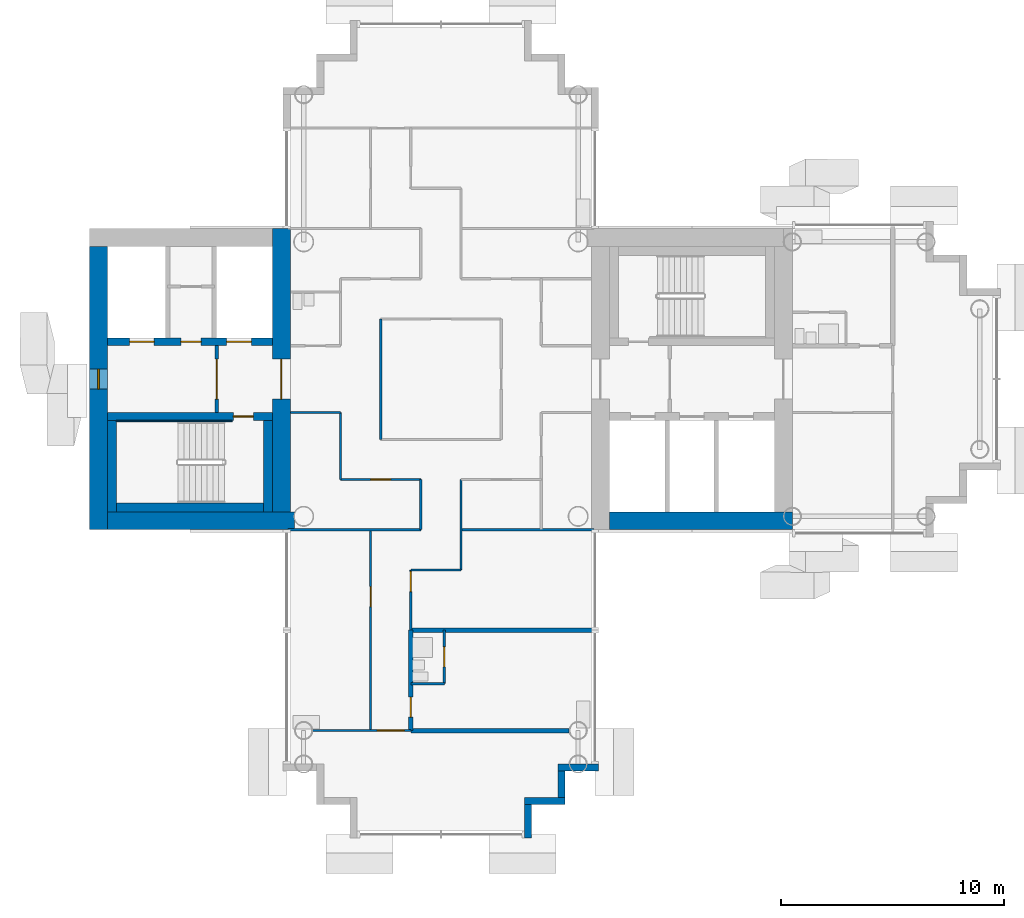
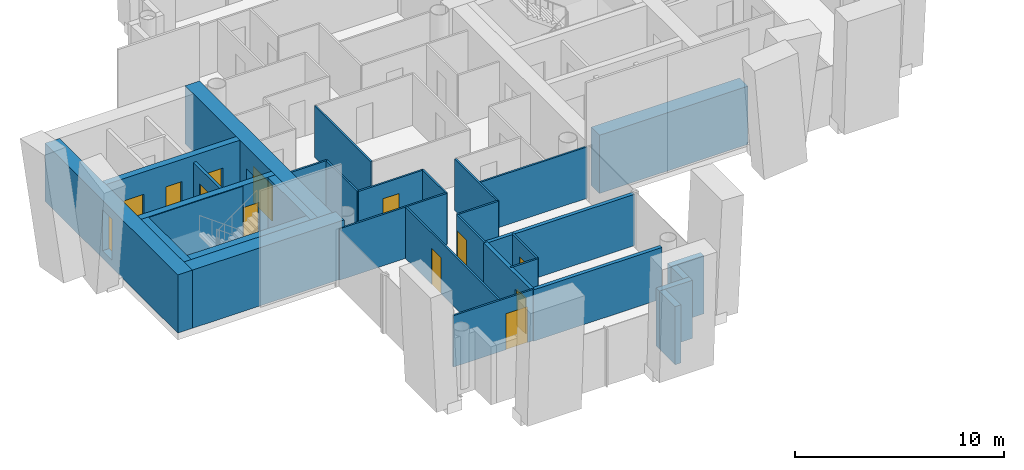
# One storey, part 6 of 19: 32 walls, 12 doors, 1 window, 13 openings.
"""IFC4 building model written with IfcOpenShell, lengths in metres."""

from ifc_helpers import new_model, si_unit, direction, frame, frame_2d, origin, place, context, subcontext, project, spatial, rectangle, extrude, material, layer, layer_set, type_object, element, fill, save


model = new_model("IFC4")

# Units and contexts
model_context = context("Model", 3, precision=1e-05, world=origin(), true_north=direction((0.0, 1.0)))
body_context = subcontext(model_context, "Body", "Model", "MODEL_VIEW")
ifc_project = project(units=[si_unit("LENGTHUNIT", "METRE"), si_unit("AREAUNIT", "SQUARE_METRE"), si_unit("VOLUMEUNIT", "CUBIC_METRE"), si_unit("PLANEANGLEUNIT", "RADIAN"), si_unit("MASSUNIT", "GRAM", prefix="KILO")], contexts=[model_context])

# Site, building, storey
site_placement = place(None, origin())
site = spatial("IfcSite", under=ifc_project, at=site_placement, CompositionType="ELEMENT")
building_placement = place(site_placement, origin())
building = spatial("IfcBuilding", under=site, at=building_placement, Name="Ipe Terrace Towers", CompositionType="ELEMENT")
storey_placement = place(building_placement, frame((0.0, 0.0, 157.5)))
storey = spatial("IfcBuildingStorey", under=building, at=storey_placement, Name="L43", CompositionType="ELEMENT", Elevation=157.5)

# Walls
ifc_material_1 = material(Name="Concrete C40/50 with buff precast cladding", Category="concrete")
ifc_layer_1 = layer(ifc_material_1, 0.320068359375)
ifc_layer_set_1 = layer_set([ifc_layer_1], Name="BUFF CLADDING WALL 320")
wall_type_1 = type_object("IfcWallType", Name="BUFF CLADDING WALL 320", PredefinedType="STANDARD", material=ifc_layer_set_1)
wall_1_placement = place(storey_placement, frame((-32.090087890625, -20.570068359375, -0.300048828125), z_axis=(0.0, 0.0, 1.0), x_axis=(0.0, 1.0, 0.0)))
element("IfcWall", 1, at=wall_1_placement, inside=storey, type_object=wall_type_1, Name="T1-W-L43-09a wall", PredefinedType="STANDARD", context=body_context, shape_type="SweptSolid", body=[
    extrude(rectangle(XDim=1.5, YDim=0.320068359375, at=frame_2d((0.75, 0.0))), origin(), (0.0, 0.0, 1.0), 3.400146484375),
])
wall_2_placement = place(storey_placement, frame((-32.25, -18.909912109375, -0.300048828125), z_axis=(0.0, 0.0, 1.0), x_axis=(1.0, 0.0, 0.0)))
element("IfcWall", 2, at=wall_2_placement, inside=storey, type_object=wall_type_1, Name="T1-W-L43-10a wall", PredefinedType="STANDARD", context=body_context, shape_type="SweptSolid", body=[
    extrude(rectangle(XDim=1.820068359375, YDim=0.320068359375, at=frame_2d((0.91015625, 0.0))), origin(), (0.0, 0.0, 1.0), 3.400146484375),
])
wall_3_placement = place(storey_placement, frame((-30.590087890625, -18.75, -0.300048828125), z_axis=(0.0, 0.0, 1.0), x_axis=(0.0, 1.0, 0.0)))
element("IfcWall", 3, at=wall_3_placement, inside=storey, type_object=wall_type_1, Name="T1-W-L43-11a wall", PredefinedType="STANDARD", context=body_context, shape_type="SweptSolid", body=[
    extrude(rectangle(XDim=1.179931640625, YDim=0.320068359375, at=frame_2d((0.58984375, 0.0))), origin(), (0.0, 0.0, 1.0), 3.400146484375),
])
wall_4_placement = place(storey_placement, frame((-30.75, -17.409912109375, -0.300048828125), z_axis=(0.0, 0.0, 1.0), x_axis=(1.0, 0.0, 0.0)))
element("IfcWall", 4, at=wall_4_placement, inside=storey, type_object=wall_type_1, Name="T1-W-L43-12a wall", PredefinedType="STANDARD", context=body_context, shape_type="SweptSolid", body=[
    extrude(rectangle(XDim=1.820068359375, YDim=0.320068359375, at=frame_2d((0.91015625, 0.0))), origin(), (0.0, 0.0, 1.0), 3.400146484375),
])
ifc_material_2 = material(Name="Gypsum board partition", Category="plasterboard")
ifc_layer_2 = layer(ifc_material_2, 0.10009765625)
ifc_layer_set_2 = layer_set([ifc_layer_2], Name="Gypsum board partition 100 mm")
wall_type_2 = type_object("IfcWallType", Name="Gypsum board partition 100 mm", PredefinedType="PARTITIONING", material=ifc_layer_set_2)
wall_5_placement = place(storey_placement, frame((-40.5, -4.5, 0.0), z_axis=(0.0, 0.0, 1.0), x_axis=(0.0, 1.0, 0.0)))
element("IfcWall", 5, at=wall_5_placement, inside=storey, type_object=wall_type_2, Name="Gypsum board partition T1 L43 W01", PredefinedType="PARTITIONING", context=body_context, shape_type="SweptSolid", body=[
    extrude(rectangle(XDim=3.0, YDim=0.10009765625, at=frame_2d((1.5, 0.0))), origin(), (0.0, 0.0, 1.0), 3.0),
])

# Wall, opening, door
wall_6_placement = place(storey_placement, frame((-39.14990234375, -15.75, 0.0), z_axis=(0.0, 0.0, 1.0), x_axis=(0.0, 1.0, 0.0)))
wall_6 = element("IfcWall", 6, at=wall_6_placement, inside=storey, type_object=wall_type_2, Name="Gypsum board partition T1 L43 W03", PredefinedType="PARTITIONING", context=body_context, shape_type="SweptSolid", body=[
    extrude(rectangle(XDim=9.0, YDim=0.10009765625, at=frame_2d((4.5, 0.0))), origin(), (0.0, 0.0, 1.0), 3.0),
])
opening_1_placement = place(wall_6_placement, frame((5.550048828125, 0.0, 0.0)))
opening_1 = element("IfcOpeningElement", 7, at=opening_1_placement, cuts=wall_6, Name="Opening T1-Z3C-16", PredefinedType="OPENING", context=body_context, shape_type="SweptSolid", body=[
    extrude(rectangle(XDim=0.89990234375, YDim=2.10009765625, at=frame_2d((0.449951171875, 1.050048828125))), frame((0.0, 0.06005859375, 0.0), z_axis=(0.0, -1.0, 0.0), x_axis=(1.0, 0.0, 0.0)), (0.0, 0.0, 1.0), 0.1201171875),
])
ifc_material_3 = material(Name="Timber door leaf", Category="wood")
door_type_1 = type_object("IfcDoorType", Name="Lounge door 900 x 2100", OperationType="NOTDEFINED", PredefinedType="DOOR", material=ifc_material_3)
door_1_placement = place(opening_1_placement, origin())
door_1 = element("IfcDoor", 8, at=door_1_placement, inside=storey, type_object=door_type_1, Name="Lounge door T1-Z3C-16", OperationType="SINGLE_SWING_LEFT", OverallHeight=2.10009765625, OverallWidth=0.89990234375, PredefinedType="DOOR", context=body_context, shape_type="SweptSolid", body=[
    extrude(rectangle(XDim=0.89990234375, YDim=2.10009765625, at=frame_2d((0.449951171875, 1.050048828125))), frame((0.0, 0.02490234375, 0.0), z_axis=(0.0, -1.0, 0.0), x_axis=(1.0, 0.0, 0.0)), (0.0, 0.0, 1.0), 0.050048828125),
])
fill(opening_1, door_1)

# Wall
wall_7_placement = place(storey_placement, frame((-38.699951171875, -2.699951171875, 0.0), z_axis=(0.0, 0.0, 1.0), x_axis=(0.0, 1.0, 0.0)))
element("IfcWall", 9, at=wall_7_placement, inside=storey, type_object=wall_type_2, Name="Gypsum board partition T1 L43 W05", PredefinedType="PARTITIONING", context=body_context, shape_type="SweptSolid", body=[
    extrude(rectangle(XDim=5.39990234375, YDim=0.10009765625, at=frame_2d((2.699951171875, 0.0))), origin(), (0.0, 0.0, 1.0), 3.0),
])

# Wall, opening, door
wall_8_placement = place(storey_placement, frame((-37.35009765625, -11.25, 0.0), z_axis=(0.0, 0.0, 1.0), x_axis=(0.0, 1.0, 0.0)))
wall_8 = element("IfcWall", 10, at=wall_8_placement, inside=storey, type_object=wall_type_2, Name="Gypsum board partition T1 L43 W06", PredefinedType="PARTITIONING", context=body_context, shape_type="SweptSolid", body=[
    extrude(rectangle(XDim=2.699951171875, YDim=0.10009765625, at=frame_2d((1.35009765625, 0.0))), origin(), (0.0, 0.0, 1.0), 3.0),
])
opening_2_placement = place(wall_8_placement, frame((1.72998046875, 0.0, 0.0)))
opening_2 = element("IfcOpeningElement", 11, at=opening_2_placement, cuts=wall_8, Name="Opening T1-Z3C-13", PredefinedType="OPENING", context=body_context, shape_type="SweptSolid", body=[
    extrude(rectangle(XDim=0.89990234375, YDim=2.10009765625, at=frame_2d((0.449951171875, 1.050048828125))), frame((0.0, 0.06005859375, 0.0), z_axis=(0.0, -1.0, 0.0), x_axis=(1.0, 0.0, 0.0)), (0.0, 0.0, 1.0), 0.1201171875),
])
door_2_placement = place(opening_2_placement, origin())
door_2 = element("IfcDoor", 12, at=door_2_placement, inside=storey, type_object=door_type_1, Name="Lounge door T1-Z3C-13", OperationType="SINGLE_SWING_RIGHT", OverallHeight=2.10009765625, OverallWidth=0.89990234375, PredefinedType="DOOR", context=body_context, shape_type="SweptSolid", body=[
    extrude(rectangle(XDim=0.89990234375, YDim=2.10009765625, at=frame_2d((0.449951171875, 1.050048828125))), frame((0.0, 0.02490234375, 0.0), z_axis=(0.0, -1.0, 0.0), x_axis=(1.0, 0.0, 0.0)), (0.0, 0.0, 1.0), 0.050048828125),
])
fill(opening_2, door_2)

# Wall
wall_9_placement = place(storey_placement, frame((-36.89990234375, -6.75, 0.0), z_axis=(0.0, 0.0, 1.0), x_axis=(0.0, 1.0, 0.0)))
element("IfcWall", 13, at=wall_9_placement, inside=storey, type_object=wall_type_2, Name="Gypsum board partition T1 L43 W09", PredefinedType="PARTITIONING", context=body_context, shape_type="SweptSolid", body=[
    extrude(rectangle(XDim=2.25, YDim=0.10009765625, at=frame_2d((1.125, 0.0))), origin(), (0.0, 0.0, 1.0), 3.0),
])

# Wall, opening, door
wall_10_placement = place(storey_placement, frame((-35.85009765625, -13.64990234375, 0.0), z_axis=(0.0, 0.0, 1.0), x_axis=(0.0, 1.0, 0.0)))
wall_10 = element("IfcWall", 14, at=wall_10_placement, inside=storey, type_object=wall_type_2, Name="Gypsum board partition T1 L43 W11", PredefinedType="PARTITIONING", context=body_context, shape_type="SweptSolid", body=[
    extrude(rectangle(XDim=2.39990234375, YDim=0.10009765625, at=frame_2d((1.199951171875, 0.0))), origin(), (0.0, 0.0, 1.0), 3.0),
])
opening_3_placement = place(wall_10_placement, frame((0.75, 0.0, 0.0)))
opening_3 = element("IfcOpeningElement", 15, at=opening_3_placement, cuts=wall_10, Name="Opening T1-Z3C-15", PredefinedType="OPENING", context=body_context, shape_type="SweptSolid", body=[
    extrude(rectangle(XDim=0.89990234375, YDim=2.10009765625, at=frame_2d((0.449951171875, 1.050048828125))), frame((0.0, 0.06005859375, 0.0), z_axis=(0.0, -1.0, 0.0), x_axis=(1.0, 0.0, 0.0)), (0.0, 0.0, 1.0), 0.1201171875),
])
ifc_material_4 = material(Name="Timber door leaf", Category="wood")
door_type_2 = type_object("IfcDoorType", Name="Bathroom door 900 x 2100", OperationType="NOTDEFINED", PredefinedType="DOOR", material=ifc_material_4)
door_3_placement = place(opening_3_placement, origin())
door_3 = element("IfcDoor", 16, at=door_3_placement, inside=storey, type_object=door_type_2, Name="Bathroom door T1-Z3C-15", OperationType="SINGLE_SWING_LEFT", OverallHeight=2.10009765625, OverallWidth=0.89990234375, PredefinedType="DOOR", context=body_context, shape_type="SweptSolid", body=[
    extrude(rectangle(XDim=0.89990234375, YDim=2.10009765625, at=frame_2d((0.449951171875, 1.050048828125))), frame((0.0, 0.02490234375, 0.0), z_axis=(0.0, -1.0, 0.0), x_axis=(1.0, 0.0, 0.0)), (0.0, 0.0, 1.0), 0.050048828125),
])
fill(opening_3, door_3)

# Wall
wall_11_placement = place(storey_placement, frame((-35.10009765625, -8.550048828125, 0.0), z_axis=(0.0, 0.0, 1.0), x_axis=(0.0, 1.0, 0.0)))
element("IfcWall", 17, at=wall_11_placement, inside=storey, type_object=wall_type_2, Name="Gypsum board partition T1 L43 W12", PredefinedType="PARTITIONING", context=body_context, shape_type="SweptSolid", body=[
    extrude(rectangle(XDim=4.050048828125, YDim=0.10009765625, at=frame_2d((2.02490234375, 0.0))), origin(), (0.0, 0.0, 1.0), 3.0),
])

# Wall, opening, door
wall_12_placement = place(storey_placement, frame((-41.75, -15.75, 0.0), z_axis=(0.0, 0.0, 1.0), x_axis=(1.0, 0.0, 0.0)))
wall_12 = element("IfcWall", 18, at=wall_12_placement, inside=storey, type_object=wall_type_2, Name="Gypsum board partition T1 L43 W20", PredefinedType="PARTITIONING", context=body_context, shape_type="SweptSolid", body=[
    extrude(rectangle(XDim=4.39990234375, YDim=0.10009765625, at=frame_2d((2.199951171875, 0.0))), origin(), (0.0, 0.0, 1.0), 3.0),
])
opening_4_placement = place(wall_12_placement, frame((2.89990234375, 0.0, 0.0)))
opening_4 = element("IfcOpeningElement", 19, at=opening_4_placement, cuts=wall_12, Name="Opening T1-Z3C-17", PredefinedType="OPENING", context=body_context, shape_type="SweptSolid", body=[
    extrude(rectangle(XDim=1.199951171875, YDim=2.10009765625, at=frame_2d((0.60009765625, 1.050048828125))), frame((0.0, 0.06005859375, 0.0), z_axis=(0.0, -1.0, 0.0), x_axis=(1.0, 0.0, 0.0)), (0.0, 0.0, 1.0), 0.1201171875),
])
ifc_material_5 = material(Name="Timber door leaf", Category="wood")
door_type_3 = type_object("IfcDoorType", Name="Lounge door 1200 x 2100", OperationType="NOTDEFINED", PredefinedType="DOOR", material=ifc_material_5)
door_4_placement = place(opening_4_placement, origin())
door_4 = element("IfcDoor", 20, at=door_4_placement, inside=storey, type_object=door_type_3, Name="Lounge door T1-Z3C-17", OperationType="SINGLE_SWING_RIGHT", OverallHeight=2.10009765625, OverallWidth=1.199951171875, PredefinedType="DOOR", context=body_context, shape_type="SweptSolid", body=[
    extrude(rectangle(XDim=1.199951171875, YDim=2.10009765625, at=frame_2d((0.60009765625, 1.050048828125))), frame((0.0, 0.02490234375, 0.0), z_axis=(0.0, -1.0, 0.0), x_axis=(1.0, 0.0, 0.0)), (0.0, 0.0, 1.0), 0.050048828125),
])
fill(opening_4, door_4)

# Walls
wall_13_placement = place(storey_placement, frame((-37.35009765625, -13.64990234375, 0.0), z_axis=(0.0, 0.0, 1.0), x_axis=(1.0, 0.0, 0.0)))
element("IfcWall", 21, at=wall_13_placement, inside=storey, type_object=wall_type_2, Name="Gypsum board partition T1 L43 W22", PredefinedType="PARTITIONING", context=body_context, shape_type="SweptSolid", body=[
    extrude(rectangle(XDim=1.5, YDim=0.10009765625, at=frame_2d((0.75, 0.0))), origin(), (0.0, 0.0, 1.0), 3.0),
])
wall_14_placement = place(storey_placement, frame((-37.35009765625, -8.550048828125, 0.0), z_axis=(0.0, 0.0, 1.0), x_axis=(1.0, 0.0, 0.0)))
element("IfcWall", 22, at=wall_14_placement, inside=storey, type_object=wall_type_2, Name="Gypsum board partition T1 L43 W24", PredefinedType="PARTITIONING", context=body_context, shape_type="SweptSolid", body=[
    extrude(rectangle(XDim=2.25, YDim=0.10009765625, at=frame_2d((1.125, 0.0))), origin(), (0.0, 0.0, 1.0), 3.0),
])
for number, where, z_axis, x_axis, name in (
    (23, (-42.85009765625, -6.75, 0.0), (0.0, 0.0, 1.0), (1.0, 0.0, 0.0), "Gypsum board partition T1 L43 W25"),
    (24, (-35.10009765625, -6.75, 0.0), (0.0, 0.0, 1.0), (1.0, 0.0, 0.0), "Gypsum board partition T1 L43 W26"),
):
    element("IfcWall", number, at=place(storey_placement, frame(where, z_axis=z_axis, x_axis=x_axis)), inside=storey, type_object=wall_type_2, Name=name, PredefinedType="PARTITIONING", context=body_context, shape_type="SweptSolid", body=[
        extrude(rectangle(XDim=5.9501953125, YDim=0.10009765625, at=frame_2d((2.97509765625, 0.0))), origin(), (0.0, 0.0, 1.0), 3.0),
    ])

# Wall, opening, door
wall_15_placement = place(storey_placement, frame((-40.5, -4.5, 0.0), z_axis=(0.0, 0.0, 1.0), x_axis=(1.0, 0.0, 0.0)))
wall_15 = element("IfcWall", 25, at=wall_15_placement, inside=storey, type_object=wall_type_2, Name="Gypsum board partition T1 L43 W27", PredefinedType="PARTITIONING", context=body_context, shape_type="SweptSolid", body=[
    extrude(rectangle(XDim=3.60009765625, YDim=0.10009765625, at=frame_2d((1.800048828125, 0.0))), origin(), (0.0, 0.0, 1.0), 3.0),
])
opening_5_placement = place(wall_15_placement, frame((1.35009765625, 0.0, 0.0)))
opening_5 = element("IfcOpeningElement", 26, at=opening_5_placement, cuts=wall_15, Name="Opening T1-Z3C-07", PredefinedType="OPENING", context=body_context, shape_type="SweptSolid", body=[
    extrude(rectangle(XDim=0.89990234375, YDim=2.10009765625, at=frame_2d((0.449951171875, 1.050048828125))), frame((0.0, 0.06005859375, 0.0), z_axis=(0.0, -1.0, 0.0), x_axis=(1.0, 0.0, 0.0)), (0.0, 0.0, 1.0), 0.1201171875),
])
door_5_placement = place(opening_5_placement, origin())
door_5 = element("IfcDoor", 27, at=door_5_placement, inside=storey, type_object=door_type_1, Name="Lounge door T1-Z3C-07", OperationType="SINGLE_SWING_RIGHT", OverallHeight=2.10009765625, OverallWidth=0.89990234375, PredefinedType="DOOR", context=body_context, shape_type="SweptSolid", body=[
    extrude(rectangle(XDim=0.89990234375, YDim=2.10009765625, at=frame_2d((0.449951171875, 1.050048828125))), frame((0.0, 0.02490234375, 0.0), z_axis=(0.0, -1.0, 0.0), x_axis=(1.0, 0.0, 0.0)), (0.0, 0.0, 1.0), 0.050048828125),
])
fill(opening_5, door_5)

# Wall
wall_16_placement = place(storey_placement, frame((-42.75, -1.5, 0.0), z_axis=(0.0, 0.0, 1.0), x_axis=(1.0, 0.0, 0.0)))
element("IfcWall", 28, at=wall_16_placement, inside=storey, type_object=wall_type_2, Name="Gypsum board partition T1 L43 W30", PredefinedType="PARTITIONING", context=body_context, shape_type="SweptSolid", body=[
    extrude(rectangle(XDim=2.25, YDim=0.10009765625, at=frame_2d((1.125, 0.0))), origin(), (0.0, 0.0, 1.0), 3.0),
])

# Wall, opening, door
ifc_material_6 = material(Name="Gypsum board partition", Category="plasterboard")
ifc_layer_3 = layer(ifc_material_6, 0.14990234375)
ifc_layer_set_3 = layer_set([ifc_layer_3], Name="Gypsum board partition 150 mm")
wall_type_3 = type_object("IfcWallType", Name="Gypsum board partition 150 mm", PredefinedType="PARTITIONING", material=ifc_layer_set_3)
wall_17_placement = place(storey_placement, frame((-46.050048828125, 1.5, 0.0), z_axis=(0.0, 0.0, 1.0), x_axis=(0.0, -1.0, 0.0)))
wall_17 = element("IfcWall", 29, at=wall_17_placement, inside=storey, type_object=wall_type_3, Name="Gypsum board partition T1 L43 t1c2-lobby-wall", PredefinedType="PARTITIONING", context=body_context, shape_type="SweptSolid", body=[
    extrude(rectangle(XDim=3.0, YDim=0.14990234375, at=frame_2d((1.5, 0.0))), origin(), (0.0, 0.0, 1.0), 3.0),
])
opening_6_placement = place(wall_17_placement, frame((0.60009765625, 0.0, 0.0)))
opening_6 = element("IfcOpeningElement", 30, at=opening_6_placement, cuts=wall_17, Name="Opening T1C2-VD", PredefinedType="OPENING", context=body_context, shape_type="SweptSolid", body=[
    extrude(rectangle(XDim=1.800048828125, YDim=2.10009765625, at=frame_2d((0.89990234375, 1.050048828125))), frame((0.0, 0.0849609375, 0.0), z_axis=(0.0, -1.0, 0.0), x_axis=(1.0, 0.0, 0.0)), (0.0, 0.0, 1.0), 0.169921875),
])
ifc_material_7 = material(Name="Fire-rated timber door leaf", Category="wood")
door_type_4 = type_object("IfcDoorType", Name="Lobby door 1800 x 2100 FD60", OperationType="NOTDEFINED", PredefinedType="DOOR", material=ifc_material_7)
door_6_placement = place(opening_6_placement, origin())
door_6 = element("IfcDoor", 31, at=door_6_placement, inside=storey, type_object=door_type_4, Name="Lobby door T1C2-VD", OperationType="SINGLE_SWING_LEFT", OverallHeight=2.10009765625, OverallWidth=1.800048828125, PredefinedType="DOOR", context=body_context, shape_type="SweptSolid", body=[
    extrude(rectangle(XDim=1.800048828125, YDim=2.10009765625, at=frame_2d((0.89990234375, 1.050048828125))), frame((0.0, 0.02490234375, 0.0), z_axis=(0.0, -1.0, 0.0), x_axis=(1.0, 0.0, 0.0)), (0.0, 0.0, 1.0), 0.050048828125),
])
fill(opening_6, door_6)

ifc_material_8 = material(Name="Gypsum board party wall", Category="plasterboard")
ifc_layer_4 = layer(ifc_material_8, 0.199951171875)
ifc_layer_set_4 = layer_set([ifc_layer_4], Name="Gypsum board party wall 200 mm")
wall_type_4 = type_object("IfcWallType", Name="Gypsum board party wall 200 mm", PredefinedType="SOLIDWALL", material=ifc_layer_set_4)
wall_18_placement = place(storey_placement, frame((-37.35009765625, -15.75, 0.0), z_axis=(0.0, 0.0, 1.0), x_axis=(0.0, 1.0, 0.0)))
wall_18 = element("IfcWall", 32, at=wall_18_placement, inside=storey, type_object=wall_type_4, Name="Gypsum board party wall T1 L43 W08", PredefinedType="SOLIDWALL", context=body_context, shape_type="SweptSolid", body=[
    extrude(rectangle(XDim=4.5, YDim=0.199951171875, at=frame_2d((2.25, 0.0))), origin(), (0.0, 0.0, 1.0), 3.0),
])
opening_7_placement = place(wall_18_placement, frame((0.60009765625, 0.0, 0.0)))
opening_7 = element("IfcOpeningElement", 33, at=opening_7_placement, cuts=wall_18, Name="Opening T1-Z3C-14", PredefinedType="OPENING", context=body_context, shape_type="SweptSolid", body=[
    extrude(rectangle(XDim=0.89990234375, YDim=2.10009765625, at=frame_2d((0.449951171875, 1.050048828125))), frame((0.0, 0.10986328125, 0.0), z_axis=(0.0, -1.0, 0.0), x_axis=(1.0, 0.0, 0.0)), (0.0, 0.0, 1.0), 0.219970703125),
])
ifc_material_9 = material(Name="Fire-rated timber door leaf", Category="wood")
door_type_5 = type_object("IfcDoorType", Name="Flat entrance door 900 x 2100 FD30S", OperationType="NOTDEFINED", PredefinedType="DOOR", material=ifc_material_9)
door_7_placement = place(opening_7_placement, origin())
door_7 = element("IfcDoor", 34, at=door_7_placement, inside=storey, type_object=door_type_5, Name="Flat entrance door T1-Z3C-14", OperationType="SINGLE_SWING_LEFT", OverallHeight=2.10009765625, OverallWidth=0.89990234375, PredefinedType="DOOR", context=body_context, shape_type="SweptSolid", body=[
    extrude(rectangle(XDim=0.89990234375, YDim=2.10009765625, at=frame_2d((0.449951171875, 1.050048828125))), frame((0.0, 0.02490234375, 0.0), z_axis=(0.0, -1.0, 0.0), x_axis=(1.0, 0.0, 0.0)), (0.0, 0.0, 1.0), 0.050048828125),
])
fill(opening_7, door_7)

# Walls
wall_19_placement = place(storey_placement, frame((-37.35009765625, -15.75, 0.0), z_axis=(0.0, 0.0, 1.0), x_axis=(1.0, 0.0, 0.0)))
element("IfcWall", 35, at=wall_19_placement, inside=storey, type_object=wall_type_4, Name="Gypsum board party wall T1 L43 W21", PredefinedType="SOLIDWALL", context=body_context, shape_type="SweptSolid", body=[
    extrude(rectangle(XDim=7.10009765625, YDim=0.199951171875, at=frame_2d((3.550048828125, 0.0))), origin(), (0.0, 0.0, 1.0), 3.0),
])
wall_20_placement = place(storey_placement, frame((-37.35009765625, -11.25, 0.0), z_axis=(0.0, 0.0, 1.0), x_axis=(1.0, 0.0, 0.0)))
element("IfcWall", 36, at=wall_20_placement, inside=storey, type_object=wall_type_4, Name="Gypsum board party wall T1 L43 W23", PredefinedType="SOLIDWALL", context=body_context, shape_type="SweptSolid", body=[
    extrude(rectangle(XDim=8.2001953125, YDim=0.199951171875, at=frame_2d((4.10009765625, 0.0))), origin(), (0.0, 0.0, 1.0), 3.0),
])

# Wall, opening, door
ifc_material_10 = material(Name="Concrete C50/60", Category="concrete")
ifc_layer_5 = layer(ifc_material_10, 0.35009765625)
ifc_layer_set_5 = layer_set([ifc_layer_5], Name="RW350 CORE SPINE WALL 350 C50-60")
wall_type_5 = type_object("IfcWallType", Name="RW350 CORE SPINE WALL 350 C50-60", PredefinedType="SHEAR", material=ifc_layer_set_5)
wall_21_placement = place(storey_placement, frame((-50.949951171875, -1.675048828125, 0.0), z_axis=(0.0, 0.0, 1.0), x_axis=(1.0, 0.0, 0.0)))
wall_21 = element("IfcWall", 37, at=wall_21_placement, inside=storey, type_object=wall_type_5, Name="Core spine wall T1-C2-Z3-SW1", PredefinedType="SHEAR", context=body_context, shape_type="SweptSolid", body=[
    extrude(rectangle(XDim=7.39990234375, YDim=0.35009765625, at=frame_2d((3.699951171875, 0.0))), origin(), (0.0, 0.0, 1.0), 3.39990234375),
])
opening_8_placement = place(wall_21_placement, frame((5.64990234375, 0.0, 0.0)))
opening_8 = element("IfcOpeningElement", 38, at=opening_8_placement, cuts=wall_21, Name="Opening T1C2-SD", PredefinedType="OPENING", context=body_context, shape_type="SweptSolid", body=[
    extrude(rectangle(XDim=0.89990234375, YDim=2.10009765625, at=frame_2d((0.449951171875, 1.050048828125))), frame((0.0, 0.18505859375, 0.0), z_axis=(0.0, -1.0, 0.0), x_axis=(1.0, 0.0, 0.0)), (0.0, 0.0, 1.0), 0.3701171875),
])
ifc_material_11 = material(Name="Fire-rated timber door leaf", Category="wood")
door_type_6 = type_object("IfcDoorType", Name="Stair door 900 x 2100 FD60", OperationType="NOTDEFINED", PredefinedType="DOOR", material=ifc_material_11)
door_8_placement = place(opening_8_placement, origin())
door_8 = element("IfcDoor", 39, at=door_8_placement, inside=storey, type_object=door_type_6, Name="Stair door T1C2-SD", OperationType="SINGLE_SWING_RIGHT", OverallHeight=2.10009765625, OverallWidth=0.89990234375, PredefinedType="DOOR", context=body_context, shape_type="SweptSolid", body=[
    extrude(rectangle(XDim=0.89990234375, YDim=2.10009765625, at=frame_2d((0.449951171875, 1.050048828125))), frame((0.0, 0.02490234375, 0.0), z_axis=(0.0, -1.0, 0.0), x_axis=(1.0, 0.0, 0.0)), (0.0, 0.0, 1.0), 0.050048828125),
])
fill(opening_8, door_8)

# Wall, openings, doors
wall_22_placement = place(storey_placement, frame((-50.949951171875, 1.675048828125, 0.0), z_axis=(0.0, 0.0, 1.0), x_axis=(1.0, 0.0, 0.0)))
wall_22 = element("IfcWall", 40, at=wall_22_placement, inside=storey, type_object=wall_type_5, Name="Core spine wall T1-C2-Z3-SW2", PredefinedType="SHEAR", context=body_context, shape_type="SweptSolid", body=[
    extrude(rectangle(XDim=7.39990234375, YDim=0.35009765625, at=frame_2d((3.699951171875, 0.0))), origin(), (0.0, 0.0, 1.0), 3.39990234375),
])
opening_9_placement = place(wall_22_placement, frame((5.35009765625, 0.0, 0.0)))
opening_9 = element("IfcOpeningElement", 41, at=opening_9_placement, cuts=wall_22, Name="Opening T1C2-LD1", PredefinedType="OPENING", context=body_context, shape_type="SweptSolid", body=[
    extrude(rectangle(XDim=1.10009765625, YDim=2.10009765625, at=frame_2d((0.550048828125, 1.050048828125))), frame((0.0, 0.18505859375, 0.0), z_axis=(0.0, -1.0, 0.0), x_axis=(1.0, 0.0, 0.0)), (0.0, 0.0, 1.0), 0.3701171875),
])
opening_10_placement = place(wall_22_placement, frame((1.0, 0.0, 0.0)))
opening_10 = element("IfcOpeningElement", 42, at=opening_10_placement, cuts=wall_22, Name="Opening T1C2-LD3", PredefinedType="OPENING", context=body_context, shape_type="SweptSolid", body=[
    extrude(rectangle(XDim=1.10009765625, YDim=2.10009765625, at=frame_2d((0.550048828125, 1.050048828125))), frame((0.0, 0.18505859375, 0.0), z_axis=(0.0, -1.0, 0.0), x_axis=(1.0, 0.0, 0.0)), (0.0, 0.0, 1.0), 0.3701171875),
])
opening_11_placement = place(wall_22_placement, frame((3.300048828125, 0.0, 0.0)))
opening_11 = element("IfcOpeningElement", 43, at=opening_11_placement, cuts=wall_22, Name="Opening T1C2-R1-NR", PredefinedType="OPENING", context=body_context, shape_type="SweptSolid", body=[
    extrude(rectangle(XDim=0.89990234375, YDim=2.10009765625, at=frame_2d((0.449951171875, 1.050048828125))), frame((0.0, 0.18505859375, 0.0), z_axis=(0.0, -1.0, 0.0), x_axis=(1.0, 0.0, 0.0)), (0.0, 0.0, 1.0), 0.3701171875),
])
ifc_material_12 = material(Name="Fire-rated timber door leaf", Category="wood")
door_type_7 = type_object("IfcDoorType", Name="Sliding door 1100 x 2100 FD60", OperationType="SLIDING_TO_LEFT", PredefinedType="DOOR", material=ifc_material_12)
door_9_placement = place(opening_9_placement, origin())
door_9 = element("IfcDoor", 44, at=door_9_placement, inside=storey, type_object=door_type_7, Name="Sliding door T1C2-LD1", OperationType="SLIDING_TO_LEFT", OverallHeight=2.10009765625, OverallWidth=1.10009765625, PredefinedType="DOOR", context=body_context, shape_type="SweptSolid", body=[
    extrude(rectangle(XDim=1.10009765625, YDim=2.10009765625, at=frame_2d((0.550048828125, 1.050048828125))), frame((0.0, 0.02490234375, 0.0), z_axis=(0.0, -1.0, 0.0), x_axis=(1.0, 0.0, 0.0)), (0.0, 0.0, 1.0), 0.050048828125),
])
fill(opening_9, door_9)
door_10_placement = place(opening_10_placement, origin())
door_10 = element("IfcDoor", 45, at=door_10_placement, inside=storey, type_object=door_type_7, Name="Sliding door T1C2-LD3", OperationType="SLIDING_TO_LEFT", OverallHeight=2.10009765625, OverallWidth=1.10009765625, PredefinedType="DOOR", context=body_context, shape_type="SweptSolid", body=[
    extrude(rectangle(XDim=1.10009765625, YDim=2.10009765625, at=frame_2d((0.550048828125, 1.050048828125))), frame((0.0, 0.02490234375, 0.0), z_axis=(0.0, -1.0, 0.0), x_axis=(1.0, 0.0, 0.0)), (0.0, 0.0, 1.0), 0.050048828125),
])
fill(opening_10, door_10)
ifc_material_13 = material(Name="Timber door leaf", Category="wood")
door_type_8 = type_object("IfcDoorType", Name="Store door 900 x 2100", OperationType="NOTDEFINED", PredefinedType="DOOR", material=ifc_material_13)
door_11_placement = place(opening_11_placement, origin())
door_11 = element("IfcDoor", 46, at=door_11_placement, inside=storey, type_object=door_type_8, Name="Store door T1C2-R1-NR", OperationType="SINGLE_SWING_LEFT", OverallHeight=2.10009765625, OverallWidth=0.89990234375, PredefinedType="DOOR", context=body_context, shape_type="SweptSolid", body=[
    extrude(rectangle(XDim=0.89990234375, YDim=2.10009765625, at=frame_2d((0.449951171875, 1.050048828125))), frame((0.0, 0.02490234375, 0.0), z_axis=(0.0, -1.0, 0.0), x_axis=(1.0, 0.0, 0.0)), (0.0, 0.0, 1.0), 0.050048828125),
])
fill(opening_11, door_11)

# Walls
ifc_material_14 = material(Name="Concrete C50/60", Category="concrete")
ifc_layer_6 = layer(ifc_material_14, 0.39990234375)
ifc_layer_set_6 = layer_set([ifc_layer_6], Name="RW400 CORE INFILL WALL 400 C50-60")
wall_type_6 = type_object("IfcWallType", Name="RW400 CORE INFILL WALL 400 C50-60", PredefinedType="SHEAR", material=ifc_layer_set_6)
wall_23_placement = place(storey_placement, frame((-50.75, -1.85009765625, 0.0), z_axis=(0.0, 0.0, 1.0), x_axis=(0.0, -1.0, 0.0)))
element("IfcWall", 47, at=wall_23_placement, inside=storey, type_object=wall_type_6, Name="Core infill wall T1-C2-far", PredefinedType="SHEAR", context=body_context, shape_type="SweptSolid", body=[
    extrude(rectangle(XDim=4.099853515625, YDim=0.39990234375, at=frame_2d((2.0498046875, 0.0))), origin(), (0.0, 0.0, 1.0), 3.39990234375),
])
wall_24_placement = place(storey_placement, frame((-43.949951171875, -5.75, 0.0), z_axis=(0.0, 0.0, 1.0), x_axis=(-1.0, 0.0, 0.0)))
element("IfcWall", 48, at=wall_24_placement, inside=storey, type_object=wall_type_6, Name="Core infill wall T1-C2-back", PredefinedType="SHEAR", context=body_context, shape_type="SweptSolid", body=[
    extrude(rectangle(XDim=6.60009765625, YDim=0.39990234375, at=frame_2d((3.300048828125, 0.0))), origin(), (0.0, 0.0, 1.0), 3.39990234375),
])
wall_25_placement = place(storey_placement, frame((-43.75, -1.85009765625, 0.0), z_axis=(0.0, 0.0, 1.0), x_axis=(0.0, -1.0, 0.0)))
element("IfcWall", 49, at=wall_25_placement, inside=storey, type_object=wall_type_6, Name="Core infill wall T1-C2-near", PredefinedType="SHEAR", context=body_context, shape_type="SweptSolid", body=[
    extrude(rectangle(XDim=4.099853515625, YDim=0.39990234375, at=frame_2d((2.0498046875, 0.0))), origin(), (0.0, 0.0, 1.0), 3.39990234375),
])
ifc_material_15 = material(Name="Concrete C50/60", Category="concrete")
ifc_layer_7 = layer(ifc_material_15, 0.050048828125)
ifc_layer_set_7 = layer_set([ifc_layer_7], Name="RW50 CORE INFILL WALL 50 C50-60")
wall_type_7 = type_object("IfcWallType", Name="RW50 CORE INFILL WALL 50 C50-60", PredefinedType="SHEAR", material=ifc_layer_set_7)
wall_26_placement = place(storey_placement, frame((-45.35009765625, -1.875, 0.0), z_axis=(0.0, 0.0, 1.0), x_axis=(-1.0, 0.0, 0.0)))
element("IfcWall", 50, at=wall_26_placement, inside=storey, type_object=wall_type_7, Name="Core infill wall T1-C2-spine-b", PredefinedType="SHEAR", context=body_context, shape_type="SweptSolid", body=[
    extrude(rectangle(XDim=5.199951171875, YDim=0.050048828125, at=frame_2d((2.60009765625, 0.0))), origin(), (0.0, 0.0, 1.0), 3.39990234375),
])
ifc_material_16 = material(Name="Concrete C50/60", Category="concrete")
ifc_layer_8 = layer(ifc_material_16, 0.800048828125)
ifc_layer_set_8 = layer_set([ifc_layer_8], Name="RW800 CORE WALL 800 C50-60")
wall_type_8 = type_object("IfcWallType", Name="RW800 CORE WALL 800 C50-60", PredefinedType="SHEAR", material=ifc_layer_set_8)
wall_27_placement = place(storey_placement, frame((-28.449951171875, -6.35009765625, 0.0), z_axis=(0.0, 0.0, 1.0), x_axis=(1.0, 0.0, 0.0)))
element("IfcWall", 51, at=wall_27_placement, inside=storey, type_object=wall_type_8, Name="Core wall T1-C1-Z3-W01", PredefinedType="SHEAR", context=body_context, shape_type="SweptSolid", body=[
    extrude(rectangle(XDim=8.199951171875, YDim=0.800048828125, at=frame_2d((4.10009765625, 0.0))), origin(), (0.0, 0.0, 1.0), 3.39990234375),
])
wall_28_placement = place(storey_placement, frame((-50.949951171875, -6.35009765625, 0.0), z_axis=(0.0, 0.0, 1.0), x_axis=(1.0, 0.0, 0.0)))
element("IfcWall", 52, at=wall_28_placement, inside=storey, type_object=wall_type_8, Name="Core wall T1-C2-Z3-W01", PredefinedType="SHEAR", context=body_context, shape_type="SweptSolid", body=[
    extrude(rectangle(XDim=8.39794921875, YDim=0.800048828125, at=frame_2d((4.198974609375, 0.0))), origin(), (0.0, 0.0, 1.0), 3.39990234375),
])

# Wall, opening, door
wall_29_placement = place(storey_placement, frame((-43.14990234375, -5.949951171875, 0.0), z_axis=(0.0, 0.0, 1.0), x_axis=(0.0, 1.0, 0.0)))
wall_29 = element("IfcWall", 53, at=wall_29_placement, inside=storey, type_object=wall_type_8, Name="Core wall T1-C2-Z3-W02", PredefinedType="SHEAR", context=body_context, shape_type="SweptSolid", body=[
    extrude(rectangle(XDim=12.699951171875, YDim=0.800048828125, at=frame_2d((6.35009765625, 0.0))), origin(), (0.0, 0.0, 1.0), 3.39990234375),
])
opening_12_placement = place(wall_29_placement, frame((5.050048828125, 0.0, 0.0)))
opening_12 = element("IfcOpeningElement", 54, at=opening_12_placement, cuts=wall_29, Name="Opening T1C2-ND", PredefinedType="OPENING", context=body_context, shape_type="SweptSolid", body=[
    extrude(rectangle(XDim=1.800048828125, YDim=2.10009765625, at=frame_2d((0.89990234375, 1.050048828125))), frame((0.0, 0.41015625, 0.0), z_axis=(0.0, -1.0, 0.0), x_axis=(1.0, 0.0, 0.0)), (0.0, 0.0, 1.0), 0.820068359375),
])
ifc_material_17 = material(Name="Fire-rated timber door leaf", Category="wood")
door_type_9 = type_object("IfcDoorType", Name="Fire door 1800 x 2100 FD30S", OperationType="NOTDEFINED", PredefinedType="DOOR", material=ifc_material_17)
door_12_placement = place(opening_12_placement, origin())
door_12 = element("IfcDoor", 55, at=door_12_placement, inside=storey, type_object=door_type_9, Name="Fire door T1C2-ND", OperationType="SINGLE_SWING_LEFT", OverallHeight=2.10009765625, OverallWidth=1.800048828125, PredefinedType="DOOR", context=body_context, shape_type="SweptSolid", body=[
    extrude(rectangle(XDim=1.800048828125, YDim=2.10009765625, at=frame_2d((0.89990234375, 1.050048828125))), frame((0.0, 0.02490234375, 0.0), z_axis=(0.0, -1.0, 0.0), x_axis=(1.0, 0.0, 0.0)), (0.0, 0.0, 1.0), 0.050048828125),
])
fill(opening_12, door_12)

# Wall, opening, window
wall_30_placement = place(storey_placement, frame((-51.35009765625, 5.949951171875, 0.0), z_axis=(0.0, 0.0, 1.0), x_axis=(0.0, -1.0, 0.0)))
wall_30 = element("IfcWall", 56, at=wall_30_placement, inside=storey, type_object=wall_type_8, Name="Core wall T1-C2-Z3-W04", PredefinedType="SHEAR", context=body_context, shape_type="SweptSolid", body=[
    extrude(rectangle(XDim=12.699951171875, YDim=0.800048828125, at=frame_2d((6.35009765625, 0.0))), origin(), (0.0, 0.0, 1.0), 3.39990234375),
])
opening_13_placement = place(wall_30_placement, frame((5.5, 0.0, 0.449951171875)))
opening_13 = element("IfcOpeningElement", 57, at=opening_13_placement, cuts=wall_30, Name="Opening T1-C2-W-01-L43", PredefinedType="OPENING", context=body_context, shape_type="SweptSolid", body=[
    extrude(rectangle(XDim=0.89990234375, YDim=2.39990234375, at=frame_2d((0.449951171875, 1.199951171875))), frame((0.0, 0.41015625, 0.0), z_axis=(0.0, -1.0, 0.0), x_axis=(1.0, 0.0, 0.0)), (0.0, 0.0, 1.0), 0.820068359375),
])
ifc_material_18 = material(Name="Fire-resistant glazing EI 60", Category="glass")
window_type = type_object("IfcWindowType", Name="CORRIDOR END SLOT WINDOW 900 x 2400 EI 60", PartitioningType="SINGLE_PANEL", PredefinedType="WINDOW", material=ifc_material_18)
window_placement = place(opening_13_placement, origin())
window = element("IfcWindow", 58, at=window_placement, inside=storey, type_object=window_type, Name="W-01 window", OverallHeight=2.39990234375, OverallWidth=0.89990234375, PartitioningType="SINGLE_PANEL", PredefinedType="WINDOW", context=body_context, shape_type="SweptSolid", body=[
    extrude(rectangle(XDim=0.89990234375, YDim=2.39990234375, at=frame_2d((0.449951171875, 1.199951171875))), frame((0.0, 0.030029296875, 0.0), z_axis=(0.0, -1.0, 0.0), x_axis=(1.0, 0.0, 0.0)), (0.0, 0.0, 1.0), 0.06005859375),
])
fill(opening_13, window)

save(model, "model.ifc")
